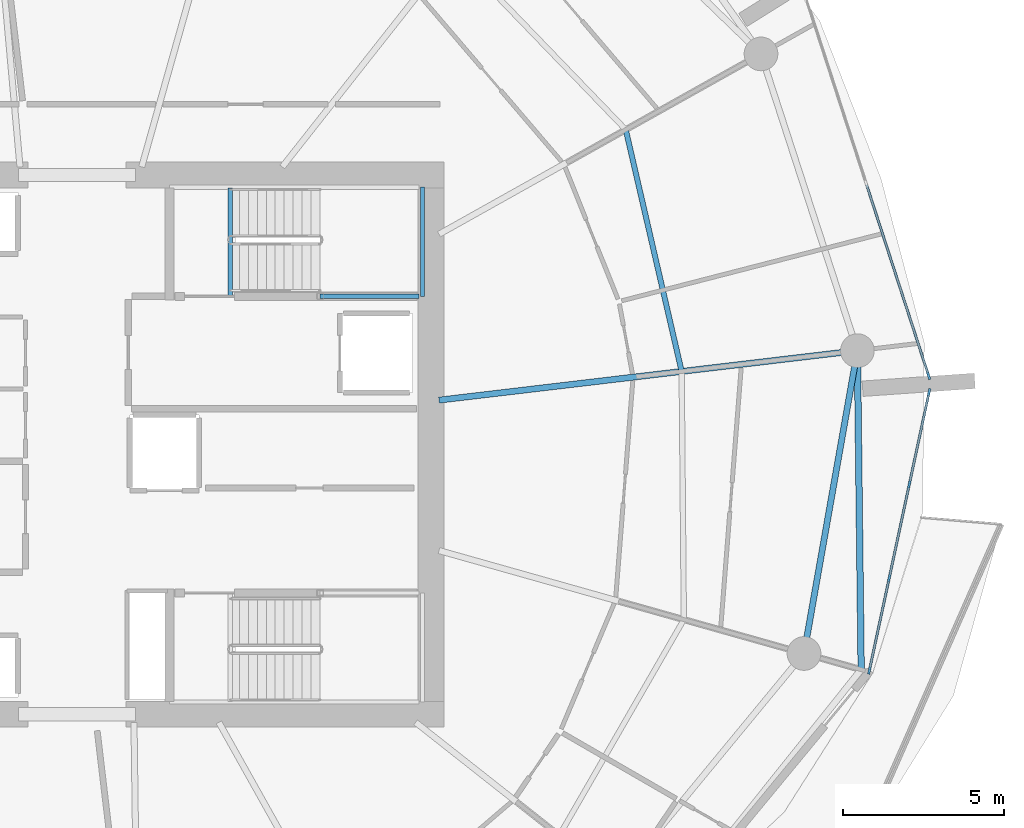
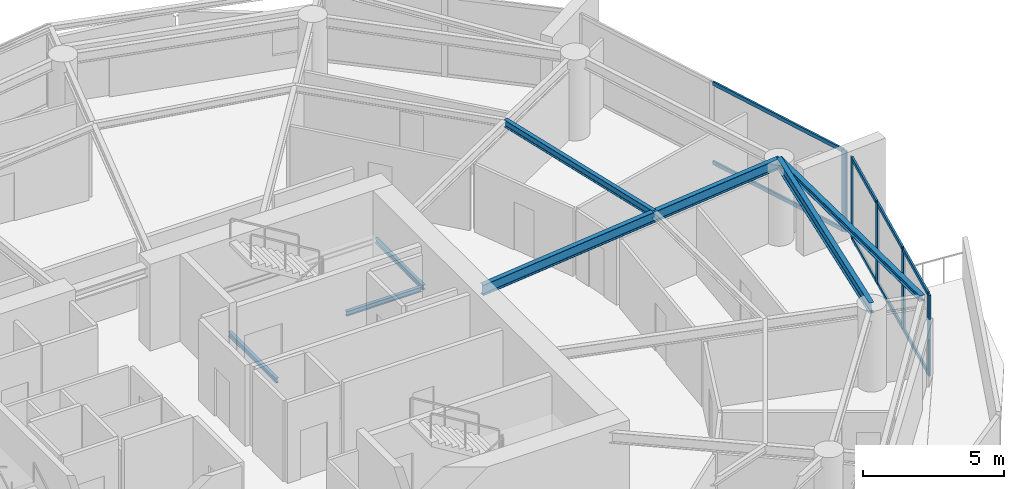
# One storey, part 7 of 20: 13 members, 7 beams, 2 elements without a shape of their own.
"""IFC4 building model written with IfcOpenShell, lengths in metres."""

from ifc_helpers import new_model, si_unit, direction, frame, origin, origin_2d, place, context, subcontext, project, spatial, rectangle, i_section, extrude, material, layer, layer_set, material_profile, profile_set, type_object, element, aggregate, save


model = new_model("IFC4")

# Units and contexts
model_context = context("Model", 3, precision=1e-05, world=origin(), true_north=direction((0.0, 1.0)))
body_context = subcontext(model_context, "Body", "Model", "MODEL_VIEW")
ifc_project = project(units=[si_unit("LENGTHUNIT", "METRE"), si_unit("AREAUNIT", "SQUARE_METRE"), si_unit("VOLUMEUNIT", "CUBIC_METRE"), si_unit("PLANEANGLEUNIT", "RADIAN"), si_unit("MASSUNIT", "GRAM", prefix="KILO")], contexts=[model_context])

# Site, building, storey
site_placement = place(None, origin())
site = spatial("IfcSite", under=ifc_project, at=site_placement, CompositionType="ELEMENT")
building_placement = place(site_placement, origin())
building = spatial("IfcBuilding", under=site, at=building_placement, Name="Kazma Halo Residences", CompositionType="ELEMENT")
storey_placement = place(building_placement, frame((0.0, 0.0, 154.050048828125)))
storey = spatial("IfcBuildingStorey", under=building, at=storey_placement, Name="L38", CompositionType="ELEMENT", Elevation=154.050048828125)

# Beams
ifc_material_1 = material(Name="Steel S355", Category="steel")
ifc_material_profile_1 = material_profile(ifc_material_1, i_section(OverallWidth=0.201904296875, OverallDepth=0.2470703125, WebThickness=0.00732421875, FlangeThickness=0.010986328125, FilletRadius=0.011962890625, at=origin_2d()), Name="W250x49.1")
ifc_profile_set_1 = profile_set([ifc_material_profile_1], Name="Steel S355")
beam_type_1 = type_object("IfcBeamType", Name="BM-BAL-CANT", PredefinedType="BEAM", material=ifc_profile_set_1)
beam_1_placement = place(storey_placement, frame((72.850341796875, 34.991455078125, 3.37646484375), z_axis=(-0.011793371143, 0.99993045578, 0.0), x_axis=(-0.99993045578, -0.011793371143, 0.0)))
element("IfcBeam", 1, at=beam_1_placement, inside=storey, type_object=beam_type_1, Name="L38 wave-balcony tie beam 15", PredefinedType="BEAM", context=body_context, shape_type="SweptSolid", body=[
    extrude(i_section(OverallWidth=0.201904296875, OverallDepth=0.2470703125, WebThickness=0.00732421875, FlangeThickness=0.010986328125, FilletRadius=0.011962890625, at=origin_2d()), origin(), (0.0, 0.0, 1.0), 9.936767578125),
])
ifc_material_profile_2 = material_profile(ifc_material_1, i_section(OverallWidth=0.18994140625, OverallDepth=0.45703125, WebThickness=0.009033203125, FlangeThickness=0.014404296875, FilletRadius=0.01611328125, at=origin_2d()), Name="W460x74")
ifc_profile_set_2 = profile_set([ifc_material_profile_2], Name="Steel S355")
beam_type_2 = type_object("IfcBeamType", Name="BM-RAD-W460", PredefinedType="BEAM", material=ifc_profile_set_2)
beam_2_placement = place(storey_placement, frame((59.699951171875, 43.384765625, 3.271484375), z_axis=(0.993067181848, 0.117548170278, 0.0), x_axis=(-0.117548170278, 0.993067181848, 0.0)))
element("IfcBeam", 2, at=beam_2_placement, inside=storey, type_object=beam_type_2, Name="L38 radial floor beam 16", PredefinedType="BEAM", context=body_context, shape_type="SweptSolid", body=[
    extrude(i_section(OverallWidth=0.18994140625, OverallDepth=0.45703125, WebThickness=0.009033203125, FlangeThickness=0.014404296875, FilletRadius=0.01611328125, at=origin_2d()), origin(), (0.0, 0.0, 1.0), 13.124267578125),
])
ifc_material_profile_3 = material_profile(ifc_material_1, i_section(OverallWidth=0.1650390625, OverallDepth=0.31005859375, WebThickness=0.005859375, FlangeThickness=0.009765625, FilletRadius=0.011962890625, at=origin_2d()), Name="W310x38.7")
ifc_profile_set_3 = profile_set([ifc_material_profile_3], Name="Steel S355")
beam_type_3 = type_object("IfcBeamType", Name="BM-SEC-W310B", PredefinedType="JOIST", material=ifc_profile_set_3)
beam_3_placement = place(storey_placement, frame((67.25927734375, 44.279541015625, 3.344970703125), z_axis=(-0.225330067077, 0.97428248515, 0.0), x_axis=(-0.97428248515, -0.225330067077, 0.0)))
element("IfcBeam", 3, at=beam_3_placement, inside=storey, type_object=beam_type_3, Name="L38 circumferential floor joist 16", PredefinedType="JOIST", context=body_context, shape_type="SweptSolid", body=[
    extrude(i_section(OverallWidth=0.1650390625, OverallDepth=0.31005859375, WebThickness=0.005859375, FlangeThickness=0.009765625, FilletRadius=0.011962890625, at=origin_2d()), origin(), (0.0, 0.0, 1.0), 7.7294921875),
])
ifc_material_profile_4 = material_profile(ifc_material_1, i_section(OverallWidth=0.18994140625, OverallDepth=0.45703125, WebThickness=0.009033203125, FlangeThickness=0.014404296875, FilletRadius=0.01611328125, at=origin_2d()), Name="W460x74")
ifc_profile_set_4 = profile_set([ifc_material_profile_4], Name="Steel S355")
beam_type_4 = type_object("IfcBeamType", Name="BM-SPN-W460", PredefinedType="BEAM", material=ifc_profile_set_4)
beam_4_placement = place(storey_placement, frame((71.06982421875, 35.49365234375, 3.271484375), z_axis=(0.173637033425, 0.984809717978, 0.0), x_axis=(-0.984809717978, 0.173637033425, 0.0)))
element("IfcBeam", 4, at=beam_4_placement, inside=storey, type_object=beam_type_4, Name="L38 perimeter ring beam 15", PredefinedType="BEAM", context=body_context, shape_type="SweptSolid", body=[
    extrude(i_section(OverallWidth=0.18994140625, OverallDepth=0.45703125, WebThickness=0.009033203125, FlangeThickness=0.014404296875, FilletRadius=0.01611328125, at=origin_2d()), origin(), (0.0, 0.0, 1.0), 9.579345703125),
])
ifc_material_profile_5 = material_profile(ifc_material_1, i_section(OverallWidth=0.133056640625, OverallDepth=0.20703125, WebThickness=0.005859375, FlangeThickness=0.00830078125, FilletRadius=0.010009765625, at=origin_2d()), Name="W200x26.6")
ifc_profile_set_5 = profile_set([ifc_material_profile_5], Name="Steel S355")
beam_type_5 = type_object("IfcBeamType", Name="BM-TRIM-W200", PredefinedType="BEAM", material=ifc_profile_set_5)
beam_5_placement = place(storey_placement, frame((53.199951171875, 46.6201171875, -0.360107421875), z_axis=(0.0, 1.0, 0.0), x_axis=(-1.0, 0.0, 0.0)))
element("IfcBeam", 5, at=beam_5_placement, inside=storey, type_object=beam_type_5, Name="L38 ST-02 floor landing support beam", PredefinedType="BEAM", context=body_context, shape_type="SweptSolid", body=[
    extrude(i_section(OverallWidth=0.133056640625, OverallDepth=0.20703125, WebThickness=0.005859375, FlangeThickness=0.00830078125, FilletRadius=0.010009765625, at=origin_2d()), origin(), (0.0, 0.0, 1.0), 3.3798828125),
])
beam_6_placement = place(storey_placement, frame((56.0, 46.6201171875, 1.570068359375), z_axis=(1.0, 0.0, 0.0), x_axis=(0.0, 1.0, 0.0)))
element("IfcBeam", 6, at=beam_6_placement, inside=storey, type_object=beam_type_5, Name="L38 ST-02 landing south wall ledger", PredefinedType="BEAM", context=body_context, shape_type="SweptSolid", body=[
    extrude(i_section(OverallWidth=0.133056640625, OverallDepth=0.20703125, WebThickness=0.005859375, FlangeThickness=0.00830078125, FilletRadius=0.010009765625, at=origin_2d()), origin(), (0.0, 0.0, 1.0), 3.070068359375),
])
beam_7_placement = place(storey_placement, frame((59.18994140625, 46.6201171875, 1.570068359375), z_axis=(0.0, 1.0, 0.0), x_axis=(-1.0, 0.0, 0.0)))
element("IfcBeam", 7, at=beam_7_placement, inside=storey, type_object=beam_type_5, Name="L38 ST-02 landing end wall ledger", PredefinedType="BEAM", context=body_context, shape_type="SweptSolid", body=[
    extrude(i_section(OverallWidth=0.133056640625, OverallDepth=0.20703125, WebThickness=0.005859375, FlangeThickness=0.00830078125, FilletRadius=0.010009765625, at=origin_2d()), origin(), (0.0, 0.0, 1.0), 3.39990234375),
])

# Curtain wall, members
ifc_material_2 = material(Name="Aluminium AW-6063 T6 and Triple-Silver Low-E Glass", Category="aluminium")
ifc_layer = layer(ifc_material_2, 0.219970703125)
ifc_layer_set = layer_set([ifc_layer], Name="Aluminium AW-6063 T6 and Triple-Silver Low-E Glass")
curtain_wall_type = type_object("IfcCurtainWallType", Name="CW-SYS-4", PredefinedType="NOTDEFINED", material=ifc_layer_set)
curtain_wall_1_placement = place(storey_placement, origin())
curtain_wall_1 = element("IfcCurtainWall", 8, at=curtain_wall_1_placement, inside=storey, type_object=curtain_wall_type, Name="L38 unitised curtain wall B15", PredefinedType="NOTDEFINED")
ifc_material_3 = material(Name="Aluminium AW-6063 T6", Category="aluminium")
ifc_material_profile_6 = material_profile(ifc_material_3, rectangle(XDim=0.074951171875, YDim=0.219970703125, at=origin_2d()), Name="CWM-75x220")
ifc_profile_set_6 = profile_set([ifc_material_profile_6], Name="Aluminium AW-6063 T6")
member_type_1 = type_object("IfcMemberType", Name="CW-SYS-4-MUL", PredefinedType="MULLION", material=ifc_profile_set_6)
member_1_placement = place(storey_placement, frame((73.105224609375, 34.95849609375, 0.0), z_axis=(0.0, 0.0, 1.0), x_axis=(-0.977764957684, 0.209703809037, 0.0)))
member_1 = element("IfcMember", 9, at=member_1_placement, type_object=member_type_1, Name="CWS-4 mullion 1", PredefinedType="MULLION", context=body_context, shape_type="SweptSolid", body=[
    extrude(rectangle(XDim=0.074951171875, YDim=0.219970703125, at=origin_2d()), origin(), (0.0, 0.0, 1.0), 3.5),
])
member_2_placement = place(storey_placement, frame((73.72314453125, 37.839111328125, 0.0), z_axis=(0.0, 0.0, 1.0), x_axis=(-0.977764957684, 0.209703809037, 0.0)))
member_2 = element("IfcMember", 10, at=member_2_placement, type_object=member_type_1, Name="CWS-4 mullion 2", PredefinedType="MULLION", context=body_context, shape_type="SweptSolid", body=[
    extrude(rectangle(XDim=0.074951171875, YDim=0.219970703125, at=origin_2d()), origin(), (0.0, 0.0, 1.0), 3.5),
])
member_3_placement = place(storey_placement, frame((74.3486328125, 40.75634765625, 0.0), z_axis=(0.0, 0.0, 1.0), x_axis=(-0.977764957684, 0.209703809037, 0.0)))
member_3 = element("IfcMember", 11, at=member_3_placement, type_object=member_type_1, Name="CWS-4 mullion 3", PredefinedType="MULLION", context=body_context, shape_type="SweptSolid", body=[
    extrude(rectangle(XDim=0.074951171875, YDim=0.219970703125, at=origin_2d()), origin(), (0.0, 0.0, 1.0), 3.5),
])
member_4_placement = place(storey_placement, frame((74.966552734375, 43.63671875, 0.0), z_axis=(0.0, 0.0, 1.0), x_axis=(-0.977764957684, 0.209703809037, 0.0)))
member_4 = element("IfcMember", 12, at=member_4_placement, type_object=member_type_1, Name="CWS-4 mullion 4", PredefinedType="MULLION", context=body_context, shape_type="SweptSolid", body=[
    extrude(rectangle(XDim=0.074951171875, YDim=0.219970703125, at=origin_2d()), origin(), (0.0, 0.0, 1.0), 3.5),
])

# Curtain wall, member
curtain_wall_2_placement = place(storey_placement, origin())
curtain_wall_2 = element("IfcCurtainWall", 13, at=curtain_wall_2_placement, inside=storey, type_object=curtain_wall_type, Name="L38 unitised curtain wall B16", PredefinedType="NOTDEFINED")
member_5_placement = place(storey_placement, frame((74.955810546875, 44.13427734375, 0.0), z_axis=(0.0, 0.0, 1.0), x_axis=(-0.951057547609, -0.3090138203, 0.0)))
member_5 = element("IfcMember", 14, at=member_5_placement, type_object=member_type_1, Name="CWS-4 mullion 1", PredefinedType="MULLION", context=body_context, shape_type="SweptSolid", body=[
    extrude(rectangle(XDim=0.074951171875, YDim=0.219970703125, at=origin_2d()), origin(), (0.0, 0.0, 1.0), 3.5),
])

# Member
ifc_material_profile_7 = material_profile(ifc_material_3, rectangle(XDim=0.074951171875, YDim=0.1650390625, at=origin_2d()), Name="CWT-75x165")
ifc_profile_set_7 = profile_set([ifc_material_profile_7], Name="Aluminium AW-6063 T6")
member_type_2 = type_object("IfcMemberType", Name="CW-SYS-4-TRN", PredefinedType="USERDEFINED", material=ifc_profile_set_7)
member_6_placement = place(storey_placement, frame((73.113037109375, 34.9951171875, 0.037353515625), z_axis=(0.209703309269, 0.977765064871, 0.0), x_axis=(-0.977765064871, 0.209703309269, 0.0)))
member_6 = element("IfcMember", 15, at=member_6_placement, type_object=member_type_2, Name="CWS-4 transom 1.1", ObjectType="TRANSOM", PredefinedType="USERDEFINED", context=body_context, shape_type="SweptSolid", body=[
    extrude(rectangle(XDim=0.074951171875, YDim=0.1650390625, at=origin_2d()), origin(), (0.0, 0.0, 1.0), 2.870849609375),
])

member_7_placement = place(storey_placement, frame((73.113037109375, 34.9951171875, 3.46240234375), z_axis=(0.209703309269, 0.977765064871, 0.0), x_axis=(-0.977765064871, 0.209703309269, 0.0)))
member_7 = element("IfcMember", 16, at=member_7_placement, type_object=member_type_2, Name="CWS-4 transom 1.2", ObjectType="TRANSOM", PredefinedType="USERDEFINED", context=body_context, shape_type="SweptSolid", body=[
    extrude(rectangle(XDim=0.074951171875, YDim=0.1650390625, at=origin_2d()), origin(), (0.0, 0.0, 1.0), 2.870849609375),
])

member_8_placement = place(storey_placement, frame((73.73095703125, 37.875732421875, 0.037353515625), z_axis=(0.209689601293, 0.977768004748, 0.0), x_axis=(-0.977768004748, 0.209689601293, 0.0)))
member_8 = element("IfcMember", 17, at=member_8_placement, type_object=member_type_2, Name="CWS-4 transom 2.1", ObjectType="TRANSOM", PredefinedType="USERDEFINED", context=body_context, shape_type="SweptSolid", body=[
    extrude(rectangle(XDim=0.074951171875, YDim=0.1650390625, at=origin_2d()), origin(), (0.0, 0.0, 1.0), 2.908447265625),
])

member_9_placement = place(storey_placement, frame((73.73095703125, 37.875732421875, 3.46240234375), z_axis=(0.209689601293, 0.977768004748, 0.0), x_axis=(-0.977768004748, 0.209689601293, 0.0)))
member_9 = element("IfcMember", 18, at=member_9_placement, type_object=member_type_2, Name="CWS-4 transom 2.2", ObjectType="TRANSOM", PredefinedType="USERDEFINED", context=body_context, shape_type="SweptSolid", body=[
    extrude(rectangle(XDim=0.074951171875, YDim=0.1650390625, at=origin_2d()), origin(), (0.0, 0.0, 1.0), 2.908447265625),
])

member_10_placement = place(storey_placement, frame((74.356689453125, 40.79296875, 0.037353515625), z_axis=(0.209703309269, 0.977765064871, 0.0), x_axis=(-0.977765064871, 0.209703309269, 0.0)))
member_10 = element("IfcMember", 19, at=member_10_placement, type_object=member_type_2, Name="CWS-4 transom 3.1", ObjectType="TRANSOM", PredefinedType="USERDEFINED", context=body_context, shape_type="SweptSolid", body=[
    extrude(rectangle(XDim=0.074951171875, YDim=0.1650390625, at=origin_2d()), origin(), (0.0, 0.0, 1.0), 2.870849609375),
])

member_11_placement = place(storey_placement, frame((74.356689453125, 40.79296875, 3.46240234375), z_axis=(0.209703309269, 0.977765064871, 0.0), x_axis=(-0.977765064871, 0.209703309269, 0.0)))
member_11 = element("IfcMember", 20, at=member_11_placement, type_object=member_type_2, Name="CWS-4 transom 3.2", ObjectType="TRANSOM", PredefinedType="USERDEFINED", context=body_context, shape_type="SweptSolid", body=[
    extrude(rectangle(XDim=0.074951171875, YDim=0.1650390625, at=origin_2d()), origin(), (0.0, 0.0, 1.0), 2.870849609375),
])

aggregate(curtain_wall_1, [member_1, member_2, member_3, member_4, member_6, member_7, member_8, member_9, member_10, member_11])

member_12_placement = place(storey_placement, frame((74.9443359375, 44.169921875, 0.037353515625), z_axis=(-0.309006258762, 0.95106000444, 0.0), x_axis=(-0.95106000444, -0.309006258762, 0.0)))
member_12 = element("IfcMember", 21, at=member_12_placement, type_object=member_type_2, Name="CWS-4 transom 1.1", ObjectType="TRANSOM", PredefinedType="USERDEFINED", context=body_context, shape_type="SweptSolid", body=[
    extrude(rectangle(XDim=0.074951171875, YDim=0.1650390625, at=origin_2d()), origin(), (0.0, 0.0, 1.0), 6.22509765625),
])

member_13_placement = place(storey_placement, frame((74.9443359375, 44.169921875, 3.46240234375), z_axis=(-0.309006258762, 0.95106000444, 0.0), x_axis=(-0.95106000444, -0.309006258762, 0.0)))
member_13 = element("IfcMember", 22, at=member_13_placement, type_object=member_type_2, Name="CWS-4 transom 1.2", ObjectType="TRANSOM", PredefinedType="USERDEFINED", context=body_context, shape_type="SweptSolid", body=[
    extrude(rectangle(XDim=0.074951171875, YDim=0.1650390625, at=origin_2d()), origin(), (0.0, 0.0, 1.0), 6.22509765625),
])

aggregate(curtain_wall_2, [member_5, member_12, member_13])

save(model, "model.ifc")
